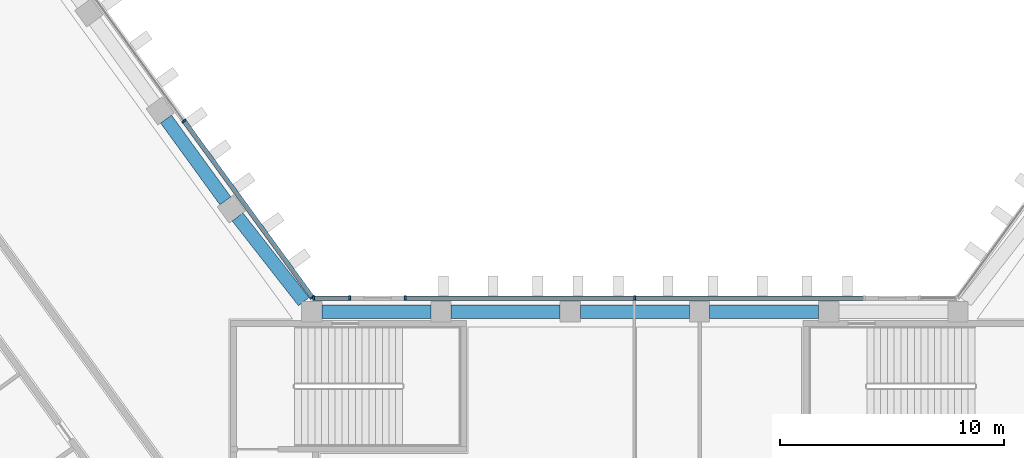
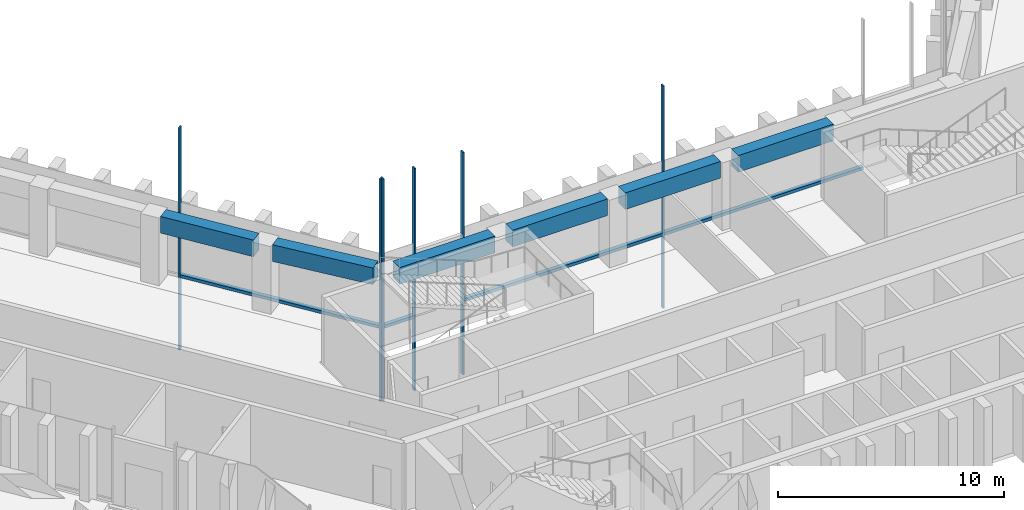
# One storey, part 3 of 18: 10 members, 6 beams, 3 elements without a shape of their own.
"""IFC4 building model written with IfcOpenShell, lengths in metres."""

from ifc_helpers import new_model, si_unit, direction, frame, origin, origin_2d, place, context, subcontext, project, spatial, rectangle, extrude, material, material_profile, profile_set, type_object, element, aggregate, save


model = new_model("IFC4")

# Units and contexts
model_context = context("Model", 3, precision=1e-05, world=origin(), true_north=direction((0.0, 1.0)))
body_context = subcontext(model_context, "Body", "Model", "MODEL_VIEW")
ifc_project = project(units=[si_unit("LENGTHUNIT", "METRE"), si_unit("AREAUNIT", "SQUARE_METRE"), si_unit("VOLUMEUNIT", "CUBIC_METRE"), si_unit("PLANEANGLEUNIT", "RADIAN"), si_unit("MASSUNIT", "GRAM", prefix="KILO")], contexts=[model_context])

# Site, building, storey
site_placement = place(None, origin())
site = spatial("IfcSite", under=ifc_project, at=site_placement, CompositionType="ELEMENT")
building_placement = place(site_placement, origin())
building = spatial("IfcBuilding", under=site, at=building_placement, Name="Quipu Civic Tower", CompositionType="ELEMENT")
storey_placement = place(building_placement, frame((0.0, 0.0, 59.0)))
storey = spatial("IfcBuildingStorey", under=building, at=storey_placement, Name="L13", CompositionType="ELEMENT", Elevation=59.0)

# Curtain wall, members
ifc_material_1 = material(Name="Insulated glass unit", Category="glass")
curtain_wall_type = type_object("IfcCurtainWallType", Name="Office curtain wall CW1", PredefinedType="NOTDEFINED", material=ifc_material_1)
curtain_wall_1_placement = place(storey_placement, origin())
curtain_wall_1 = element("IfcCurtainWall", 1, at=curtain_wall_1_placement, inside=storey, type_object=curtain_wall_type, Name="Office curtain wall CW1 L12 run 10", PredefinedType="NOTDEFINED")
ifc_material_2 = material(Name="Anodised aluminium", Category="aluminium")
ifc_material_profile_1 = material_profile(ifc_material_2, rectangle(XDim=0.199951171875, YDim=0.080078125, at=origin_2d()), Name="RECT 200x80")
ifc_profile_set_1 = profile_set([ifc_material_profile_1], Name="Anodised aluminium")
member_type_1 = type_object("IfcMemberType", Name="Mullion CW1", PredefinedType="MULLION", material=ifc_profile_set_1)
member_1_placement = place(storey_placement, frame((-14.36767578125, 11.13232421875, -3.919921875), z_axis=(0.0, 0.0, 1.0), x_axis=(-0.809016532822, -0.587785887566, 0.0)))
member_1 = element("IfcMember", 2, at=member_1_placement, type_object=member_type_1, Name="CW1 mullion 1", PredefinedType="MULLION", context=body_context, shape_type="SweptSolid", body=[
    extrude(rectangle(XDim=0.199951171875, YDim=0.080078125, at=origin_2d()), origin(), (0.0, 0.0, 1.0), 12.0),
])
member_2_placement = place(storey_placement, frame((-20.08154296875, 18.996826171875, -3.919921875), z_axis=(0.0, 0.0, 1.0), x_axis=(-0.809016532822, -0.587785887566, 0.0)))
member_2 = element("IfcMember", 3, at=member_2_placement, type_object=member_type_1, Name="CW1 mullion 2", PredefinedType="MULLION", context=body_context, shape_type="SweptSolid", body=[
    extrude(rectangle(XDim=0.199951171875, YDim=0.080078125, at=origin_2d()), origin(), (0.0, 0.0, 1.0), 12.0),
])

curtain_wall_2_placement = place(storey_placement, origin())
curtain_wall_2 = element("IfcCurtainWall", 4, at=curtain_wall_2_placement, inside=storey, type_object=curtain_wall_type, Name="Office curtain wall CW1 L12 run 39", PredefinedType="NOTDEFINED")
member_3_placement = place(storey_placement, frame((0.0, 11.10009765625, -3.919921875), z_axis=(0.0, 0.0, 1.0), x_axis=(0.0, -1.0, 0.0)))
member_3 = element("IfcMember", 5, at=member_3_placement, type_object=member_type_1, Name="CW1 mullion 2", PredefinedType="MULLION", context=body_context, shape_type="SweptSolid", body=[
    extrude(rectangle(XDim=0.199951171875, YDim=0.080078125, at=origin_2d()), origin(), (0.0, 0.0, 1.0), 12.0),
])
member_4_placement = place(storey_placement, frame((-10.223388671875, 11.10009765625, -3.919921875), z_axis=(0.0, 0.0, 1.0), x_axis=(0.0, -1.0, 0.0)))
member_4 = element("IfcMember", 6, at=member_4_placement, type_object=member_type_1, Name="CW1 mullion 3", PredefinedType="MULLION", context=body_context, shape_type="SweptSolid", body=[
    extrude(rectangle(XDim=0.199951171875, YDim=0.080078125, at=origin_2d()), origin(), (0.0, 0.0, 1.0), 12.0),
])

curtain_wall_3_placement = place(storey_placement, origin())
curtain_wall_3 = element("IfcCurtainWall", 7, at=curtain_wall_3_placement, inside=storey, type_object=curtain_wall_type, Name="Office curtain wall CW1 L12 run 41", PredefinedType="NOTDEFINED")
member_5_placement = place(storey_placement, frame((-12.695068359375, 11.10009765625, -3.919921875), z_axis=(0.0, 0.0, 1.0), x_axis=(0.0, -1.0, 0.0)))
member_5 = element("IfcMember", 8, at=member_5_placement, type_object=member_type_1, Name="CW1 mullion 1", PredefinedType="MULLION", context=body_context, shape_type="SweptSolid", body=[
    extrude(rectangle(XDim=0.199951171875, YDim=0.080078125, at=origin_2d()), origin(), (0.0, 0.0, 1.0), 12.0),
])
member_6_placement = place(storey_placement, frame((-14.30419921875, 11.10009765625, -3.919921875), z_axis=(0.0, 0.0, 1.0), x_axis=(0.0, -1.0, 0.0)))
member_6 = element("IfcMember", 9, at=member_6_placement, type_object=member_type_1, Name="CW1 mullion 2", PredefinedType="MULLION", context=body_context, shape_type="SweptSolid", body=[
    extrude(rectangle(XDim=0.199951171875, YDim=0.080078125, at=origin_2d()), origin(), (0.0, 0.0, 1.0), 12.0),
])

# Beams
ifc_material_3 = material(Name="Concrete C50/60", Category="concrete")
ifc_material_profile_2 = material_profile(ifc_material_3, rectangle(XDim=0.60009765625, YDim=0.89990234375, at=origin_2d()), Name="RC600x900")
ifc_profile_set_2 = profile_set([ifc_material_profile_2], Name="Concrete C50/60")
beam_type = type_object("IfcBeamType", Name="Spandrel beam RC 600x900 C50/60", PredefinedType="SPANDREL", material=ifc_profile_set_2)
beam_1_placement = place(storey_placement, frame((-18.238037109375, 15.43896484375, 3.199951171875), z_axis=(-0.587716763865, 0.809066749701, 0.0), x_axis=(-0.809066749701, -0.587716763865, 0.0)))
element("IfcBeam", 10, at=beam_1_placement, inside=storey, type_object=beam_type, Name="Spandrel beam L13 W-IN-01 to W-IN-02", PredefinedType="SPANDREL", context=body_context, shape_type="SweptSolid", body=[
    extrude(rectangle(XDim=0.60009765625, YDim=0.89990234375, at=origin_2d()), origin(), (0.0, 0.0, 1.0), 4.5),
])
for number, where, z_axis, x_axis, name in (
    (11, (8.18701171875, 10.5, 3.199951171875), (-1.0, 0.0, 0.0), (0.0, -1.0, 0.0), "Spandrel beam L13 FRONT-01 to FRONT-02"),
    (12, (2.428955078125, 10.5, 3.199951171875), (-1.0, 0.0, 0.0), (0.0, -1.0, 0.0), "Spandrel beam L13 FRONT-02 to FRONT-03"),
    (13, (-3.3291015625, 10.5, 3.199951171875), (-1.0, 0.0, 0.0), (0.0, -1.0, 0.0), "Spandrel beam L13 FRONT-03 to FRONT-04"),
):
    element("IfcBeam", number, at=place(storey_placement, frame(where, z_axis=z_axis, x_axis=x_axis)), inside=storey, type_object=beam_type, Name=name, PredefinedType="SPANDREL", context=body_context, shape_type="SweptSolid", body=[
        extrude(rectangle(XDim=0.60009765625, YDim=0.89990234375, at=origin_2d()), origin(), (0.0, 0.0, 1.0), 4.85791015625),
    ])
beam_2_placement = place(storey_placement, frame((-9.087158203125, 10.5, 3.199951171875), z_axis=(-1.0, 0.0, 0.0), x_axis=(0.0, -1.0, 0.0)))
element("IfcBeam", 14, at=beam_2_placement, inside=storey, type_object=beam_type, Name="Spandrel beam L13 FRONT-04 to J-Wi.0", PredefinedType="SPANDREL", context=body_context, shape_type="SweptSolid", body=[
    extrude(rectangle(XDim=0.60009765625, YDim=0.89990234375, at=origin_2d()), origin(), (0.0, 0.0, 1.0), 4.858154296875),
])
beam_3_placement = place(storey_placement, frame((-14.7470703125, 10.949951171875, 3.199951171875), z_axis=(-0.616123961998, 0.787649200756, 0.0), x_axis=(-0.787649200756, -0.616123961998, 0.0)))
element("IfcBeam", 15, at=beam_3_placement, inside=storey, type_object=beam_type, Name="Spandrel beam L13 J-Wi.0 to W-IN-01", PredefinedType="SPANDREL", context=body_context, shape_type="SweptSolid", body=[
    extrude(rectangle(XDim=0.60009765625, YDim=0.89990234375, at=origin_2d()), origin(), (0.0, 0.0, 1.0), 4.78662109375),
])

# Member
ifc_material_4 = material(Name="Anodised aluminium", Category="aluminium")
ifc_material_profile_3 = material_profile(ifc_material_4, rectangle(XDim=0.199951171875, YDim=0.159912109375, at=origin_2d()), Name="RECT 200x160")
ifc_profile_set_3 = profile_set([ifc_material_profile_3], Name="Anodised aluminium")
member_type_2 = type_object("IfcMemberType", Name="Transom CW1", PredefinedType="USERDEFINED", material=ifc_profile_set_3)
member_7_placement = place(storey_placement, frame((-14.39111328125, 11.164794921875, 0.080078125), z_axis=(-0.58779220199, 0.809011945079, 0.0), x_axis=(-0.809011945079, -0.58779220199, 0.0)))
member_7 = element("IfcMember", 16, at=member_7_placement, type_object=member_type_2, Name="CW1 transom 1.2", ObjectType="TRANSOM", PredefinedType="USERDEFINED", context=body_context, shape_type="SweptSolid", body=[
    extrude(rectangle(XDim=0.199951171875, YDim=0.159912109375, at=origin_2d()), origin(), (0.0, 0.0, 1.0), 9.64111328125),
])

aggregate(curtain_wall_1, [member_1, member_2, member_7])

member_8_placement = place(storey_placement, frame((10.18359375, 11.10009765625, 0.080078125), z_axis=(-1.0, 0.0, 0.0), x_axis=(0.0, -1.0, 0.0)))
member_8 = element("IfcMember", 17, at=member_8_placement, type_object=member_type_2, Name="CW1 transom 1.2", ObjectType="TRANSOM", PredefinedType="USERDEFINED", context=body_context, shape_type="SweptSolid", body=[
    extrude(rectangle(XDim=0.199951171875, YDim=0.159912109375, at=origin_2d()), origin(), (0.0, 0.0, 1.0), 10.1435546875),
])

member_9_placement = place(storey_placement, frame((-0.0400390625, 11.10009765625, 0.080078125), z_axis=(-1.0, 0.0, 0.0), x_axis=(0.0, -1.0, 0.0)))
member_9 = element("IfcMember", 18, at=member_9_placement, type_object=member_type_2, Name="CW1 transom 2.2", ObjectType="TRANSOM", PredefinedType="USERDEFINED", context=body_context, shape_type="SweptSolid", body=[
    extrude(rectangle(XDim=0.199951171875, YDim=0.159912109375, at=origin_2d()), origin(), (0.0, 0.0, 1.0), 10.1435546875),
])

aggregate(curtain_wall_2, [member_3, member_4, member_8, member_9])

member_10_placement = place(storey_placement, frame((-12.735107421875, 11.10009765625, 0.080078125), z_axis=(-1.0, 0.0, 0.0), x_axis=(0.0, -1.0, 0.0)))
member_10 = element("IfcMember", 19, at=member_10_placement, type_object=member_type_2, Name="CW1 transom 1.2", ObjectType="TRANSOM", PredefinedType="USERDEFINED", context=body_context, shape_type="SweptSolid", body=[
    extrude(rectangle(XDim=0.199951171875, YDim=0.159912109375, at=origin_2d()), origin(), (0.0, 0.0, 1.0), 1.529052734375),
])

aggregate(curtain_wall_3, [member_5, member_6, member_10])

save(model, "model.ifc")
